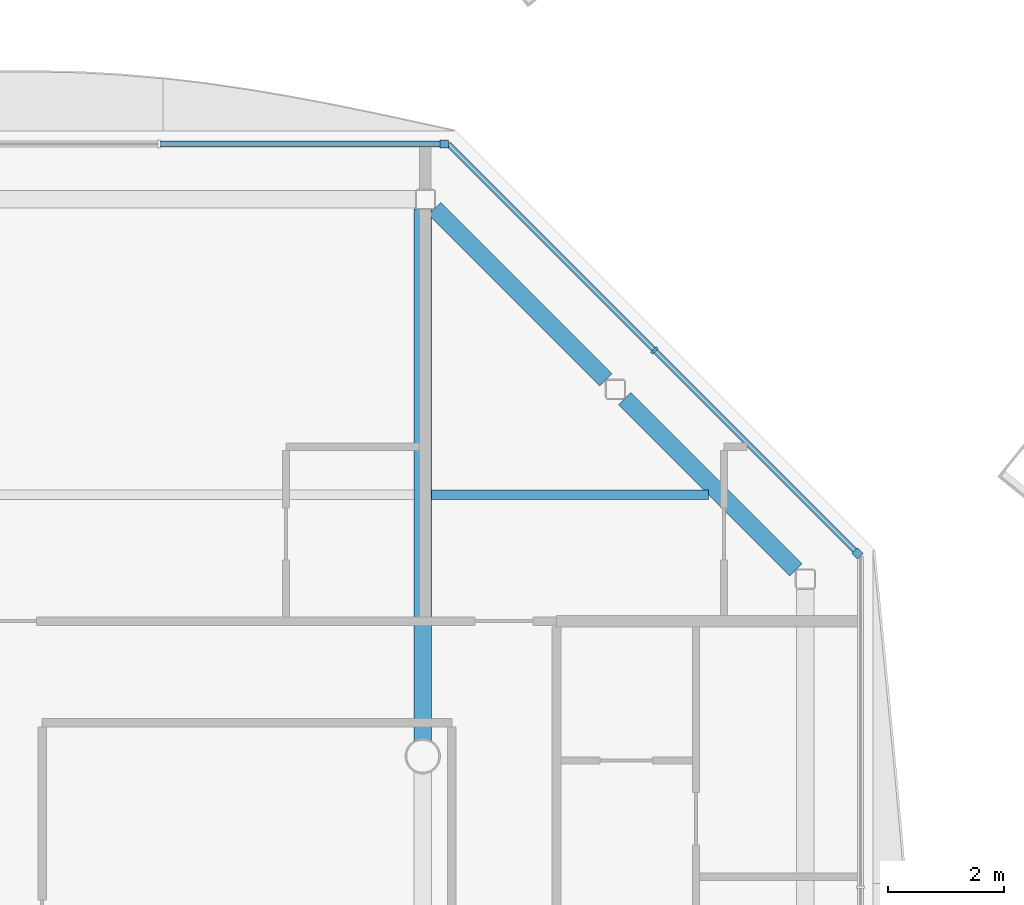
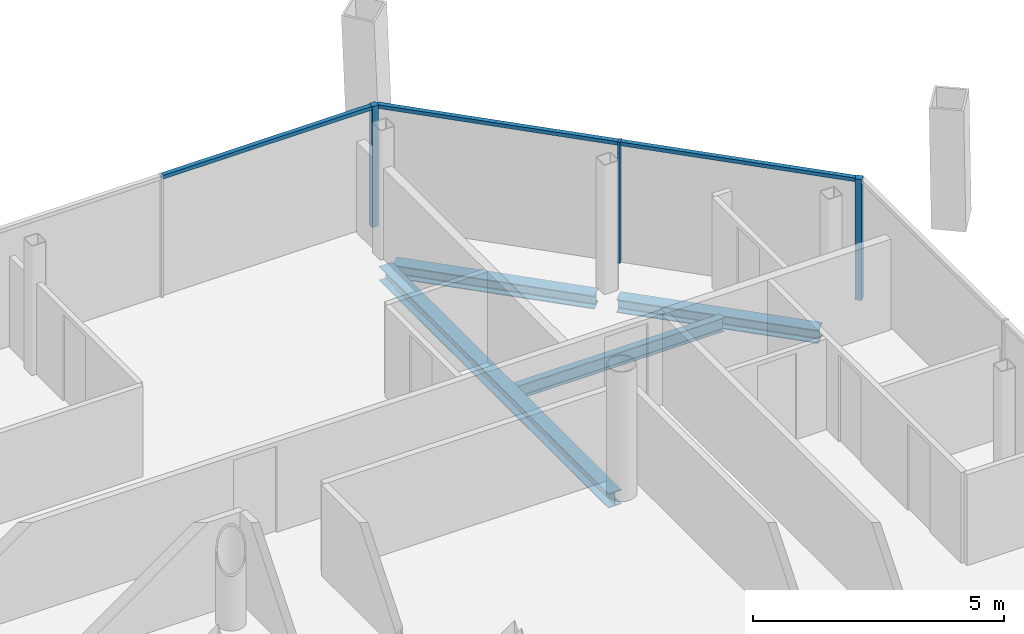
# One storey, part 11 of 19: 6 members, 4 beams, 2 elements without a shape of their own.
"""IFC4 building model written with IfcOpenShell, lengths in metres."""

from ifc_helpers import new_model, si_unit, direction, frame, origin, origin_2d, place, context, subcontext, project, spatial, rectangle, i_section, extrude, material, material_profile, profile_set, type_object, element, aggregate, save


model = new_model("IFC4")

# Units and contexts
model_context = context("Model", 3, precision=1e-05, world=origin(), true_north=direction((0.0, 1.0)))
body_context = subcontext(model_context, "Body", "Model", "MODEL_VIEW")
ifc_project = project(units=[si_unit("LENGTHUNIT", "METRE"), si_unit("AREAUNIT", "SQUARE_METRE"), si_unit("VOLUMEUNIT", "CUBIC_METRE"), si_unit("PLANEANGLEUNIT", "RADIAN"), si_unit("MASSUNIT", "GRAM", prefix="KILO")], contexts=[model_context])

# Site, building, storey
site_placement = place(None, origin())
site = spatial("IfcSite", under=ifc_project, at=site_placement, CompositionType="ELEMENT")
building_placement = place(site_placement, origin())
building = spatial("IfcBuilding", under=site, at=building_placement, Name="Tskaro Facet Tower", CompositionType="ELEMENT")
storey_placement = place(building_placement, frame((0.0, 0.0, 203.699951171875)))
storey = spatial("IfcBuildingStorey", under=building, at=storey_placement, Name="L52", CompositionType="ELEMENT", Elevation=203.699951171875)

# Curtain wall, member
ifc_material_1 = material(Name="Bronze anodised aluminium 6063-T6", Category="aluminium")
curtain_wall_type = type_object("IfcCurtainWallType", Name="Bronze residence curtain wall (FW3)", PredefinedType="NOTDEFINED", material=ifc_material_1)
curtain_wall_1_placement = place(storey_placement, origin())
curtain_wall_1 = element("IfcCurtainWall", 1, at=curtain_wall_1_placement, inside=storey, type_object=curtain_wall_type, Name="FW3 north-east facet L52", PredefinedType="NOTDEFINED")
ifc_material_profile_1 = material_profile(ifc_material_1, rectangle(XDim=0.139892578125, YDim=0.139892578125, at=origin_2d()), Name="Corner post 140x140")
ifc_profile_set_1 = profile_set([ifc_material_profile_1], Name="Bronze anodised aluminium 6063-T6")
member_type_1 = type_object("IfcMemberType", Name="FW3 bronze corner post 140x140", PredefinedType="MULLION", material=ifc_profile_set_1)
member_1_placement = place(storey_placement, frame((16.4833984375, 12.488525390625, 0.0), z_axis=(0.0, 0.0, 1.0), x_axis=(-0.707106781187, 0.707106781187, 0.0)))
member_1 = element("IfcMember", 2, at=member_1_placement, type_object=member_type_1, Name="FW3 north-east corner post", PredefinedType="MULLION", context=body_context, shape_type="SweptSolid", body=[
    extrude(rectangle(XDim=0.139892578125, YDim=0.139892578125, at=origin_2d()), origin(), (0.0, 0.0, 1.0), 2.949951171875),
])

curtain_wall_2_placement = place(storey_placement, origin())
curtain_wall_2 = element("IfcCurtainWall", 3, at=curtain_wall_2_placement, inside=storey, type_object=curtain_wall_type, Name="FW3 north facet L52", PredefinedType="NOTDEFINED")
member_2_placement = place(storey_placement, frame((9.368896484375, 19.532958984375, 0.0), z_axis=(0.0, 0.0, 1.0), x_axis=(-1.0, 0.0, 0.0)))
member_2 = element("IfcMember", 4, at=member_2_placement, type_object=member_type_1, Name="FW3 north corner post", PredefinedType="MULLION", context=body_context, shape_type="SweptSolid", body=[
    extrude(rectangle(XDim=0.139892578125, YDim=0.139892578125, at=origin_2d()), origin(), (0.0, 0.0, 1.0), 2.949951171875),
])

# Member
ifc_material_profile_2 = material_profile(ifc_material_1, rectangle(XDim=0.050048828125, YDim=0.139892578125, at=origin_2d()), Name="Mullion 50x140")
ifc_profile_set_2 = profile_set([ifc_material_profile_2], Name="Bronze anodised aluminium 6063-T6")
member_type_2 = type_object("IfcMemberType", Name="FW3 bronze mullion 50x140", PredefinedType="MULLION", material=ifc_profile_set_2)
member_3_placement = place(storey_placement, frame((12.986083984375, 15.986083984375, 0.0), z_axis=(0.0, 0.0, 1.0), x_axis=(-0.707106781187, 0.707106781187, 0.0)))
member_3 = element("IfcMember", 5, at=member_3_placement, type_object=member_type_2, Name="FW3 north-east mullion 1", PredefinedType="MULLION", context=body_context, shape_type="SweptSolid", body=[
    extrude(rectangle(XDim=0.050048828125, YDim=0.139892578125, at=origin_2d()), origin(), (0.0, 0.0, 1.0), 2.949951171875),
])

ifc_material_profile_3 = material_profile(ifc_material_1, rectangle(XDim=0.10009765625, YDim=0.090087890625, at=origin_2d()), Name="Transom 100x90")
ifc_profile_set_3 = profile_set([ifc_material_profile_3], Name="Bronze anodised aluminium 6063-T6")
member_type_3 = type_object("IfcMemberType", Name="FW3 bronze transom 100x90", PredefinedType="USERDEFINED", material=ifc_profile_set_3)
member_4_placement = place(storey_placement, frame((16.43408203125, 12.5380859375, 2.905029296875), z_axis=(-0.707131943786, 0.707081617692, 0.0), x_axis=(-0.707081617692, -0.707131943786, 0.0)))
member_4 = element("IfcMember", 6, at=member_4_placement, type_object=member_type_3, Name="FW3 north-east transom 1.1", ObjectType="TRANSOM", PredefinedType="USERDEFINED", context=body_context, shape_type="SweptSolid", body=[
    extrude(rectangle(XDim=0.10009765625, YDim=0.090087890625, at=origin_2d()), origin(), (0.0, 0.0, 1.0), 4.85107421875),
])

member_5_placement = place(storey_placement, frame((12.96826171875, 16.003662109375, 2.905029296875), z_axis=(-0.707106781187, 0.707106781187, 0.0), x_axis=(-0.707106781187, -0.707106781187, 0.0)))
member_5 = element("IfcMember", 7, at=member_5_placement, type_object=member_type_3, Name="FW3 north-east transom 2.1", ObjectType="TRANSOM", PredefinedType="USERDEFINED", context=body_context, shape_type="SweptSolid", body=[
    extrude(rectangle(XDim=0.10009765625, YDim=0.090087890625, at=origin_2d()), origin(), (0.0, 0.0, 1.0), 4.9912109375),
])

aggregate(curtain_wall_1, [member_1, member_3, member_4, member_5])

member_6_placement = place(storey_placement, frame((9.299072265625, 19.532958984375, 2.905029296875), z_axis=(-1.0, 0.0, 0.0), x_axis=(0.0, -1.0, 0.0)))
member_6 = element("IfcMember", 8, at=member_6_placement, type_object=member_type_3, Name="FW3 north transom 1.1", ObjectType="TRANSOM", PredefinedType="USERDEFINED", context=body_context, shape_type="SweptSolid", body=[
    extrude(rectangle(XDim=0.10009765625, YDim=0.090087890625, at=origin_2d()), origin(), (0.0, 0.0, 1.0), 4.810791015625),
])

aggregate(curtain_wall_2, [member_2, member_6])

# Beams
ifc_material_2 = material(Name="Steel S355J2", Category="steel")
ifc_material_profile_4 = material_profile(ifc_material_2, i_section(OverallWidth=0.300048828125, OverallDepth=0.320068359375, WebThickness=0.011474609375, FlangeThickness=0.0205078125, FilletRadius=0.027099609375, at=origin_2d()), Name="HE 320 B")
ifc_profile_set_4 = profile_set([ifc_material_profile_4], Name="Steel S355J2")
beam_type_1 = type_object("IfcBeamType", Name="HE 320 B ring beam", PredefinedType="BEAM", material=ifc_profile_set_4)
for number, where, z_axis, x_axis, name in (
    (9, (15.422119140625, 12.206787109375, -0.300048828125), (-0.70722393913, 0.706989603829, 0.0), (-0.706989603829, -0.70722393913, 0.0), "HE 320 B EB10-4"),
    (10, (12.153076171875, 15.474853515625, -0.300048828125), (-0.706989603829, 0.70722393913, 0.0), (-0.70722393913, -0.706989603829, 0.0), "HE 320 B EB11-4"),
):
    element("IfcBeam", number, at=place(storey_placement, frame(where, z_axis=z_axis, x_axis=x_axis)), inside=storey, type_object=beam_type_1, Name=name, PredefinedType="BEAM", context=body_context, shape_type="SweptSolid", body=[
        extrude(i_section(OverallWidth=0.300048828125, OverallDepth=0.320068359375, WebThickness=0.011474609375, FlangeThickness=0.0205078125, FilletRadius=0.027099609375, at=origin_2d()), origin(), (0.0, 0.0, 1.0), 4.16748046875),
    ])
ifc_material_profile_5 = material_profile(ifc_material_2, i_section(OverallWidth=0.300048828125, OverallDepth=0.35009765625, WebThickness=0.010009765625, FlangeThickness=0.017578125, FilletRadius=0.027099609375, at=origin_2d()), Name="HE 360 A")
ifc_profile_set_5 = profile_set([ifc_material_profile_5], Name="Steel S355J2")
beam_type_2 = type_object("IfcBeamType", Name="HE 360 A girder", PredefinedType="BEAM", material=ifc_profile_set_5)
beam_1_placement = place(storey_placement, frame((9.0, 9.27490234375, -0.31494140625), z_axis=(0.0, 1.0, 0.0), x_axis=(-1.0, 0.0, 0.0)))
element("IfcBeam", 11, at=beam_1_placement, inside=storey, type_object=beam_type_2, Name="HE 360 A GB5-3-4", PredefinedType="BEAM", context=body_context, shape_type="SweptSolid", body=[
    extrude(i_section(OverallWidth=0.300048828125, OverallDepth=0.35009765625, WebThickness=0.010009765625, FlangeThickness=0.017578125, FilletRadius=0.027099609375, at=origin_2d()), origin(), (0.0, 0.0, 1.0), 9.14208984375),
])
ifc_material_profile_6 = material_profile(ifc_material_2, i_section(OverallWidth=0.159912109375, OverallDepth=0.330078125, WebThickness=0.007568359375, FlangeThickness=0.011474609375, FilletRadius=0.01806640625, at=origin_2d()), Name="IPE 330")
ifc_profile_set_6 = profile_set([ifc_material_profile_6], Name="Steel S355J2")
beam_type_3 = type_object("IfcBeamType", Name="IPE 330 secondary beam", PredefinedType="BEAM", material=ifc_profile_set_6)
beam_2_placement = place(storey_placement, frame((9.14990234375, 13.5, -0.304931640625), z_axis=(1.0, 0.0, 0.0), x_axis=(0.0, 1.0, 0.0)))
element("IfcBeam", 12, at=beam_2_placement, inside=storey, type_object=beam_type_3, Name="IPE 330 SB5a-5-4", PredefinedType="BEAM", context=body_context, shape_type="SweptSolid", body=[
    extrude(i_section(OverallWidth=0.159912109375, OverallDepth=0.330078125, WebThickness=0.007568359375, FlangeThickness=0.011474609375, FilletRadius=0.01806640625, at=origin_2d()), origin(), (0.0, 0.0, 1.0), 4.76708984375),
])

save(model, "model.ifc")
